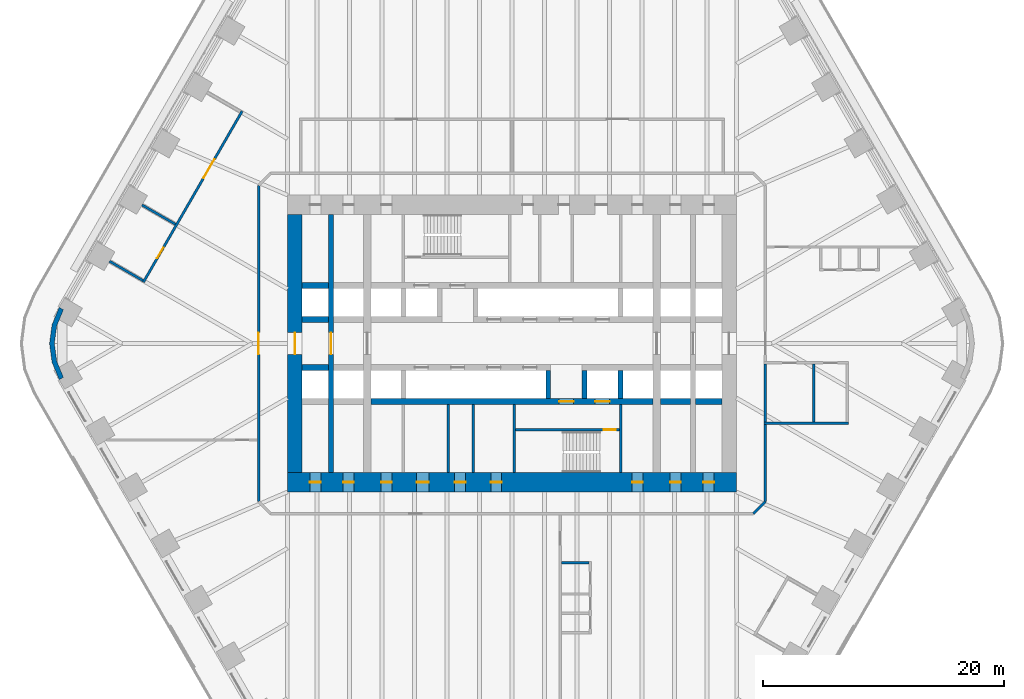
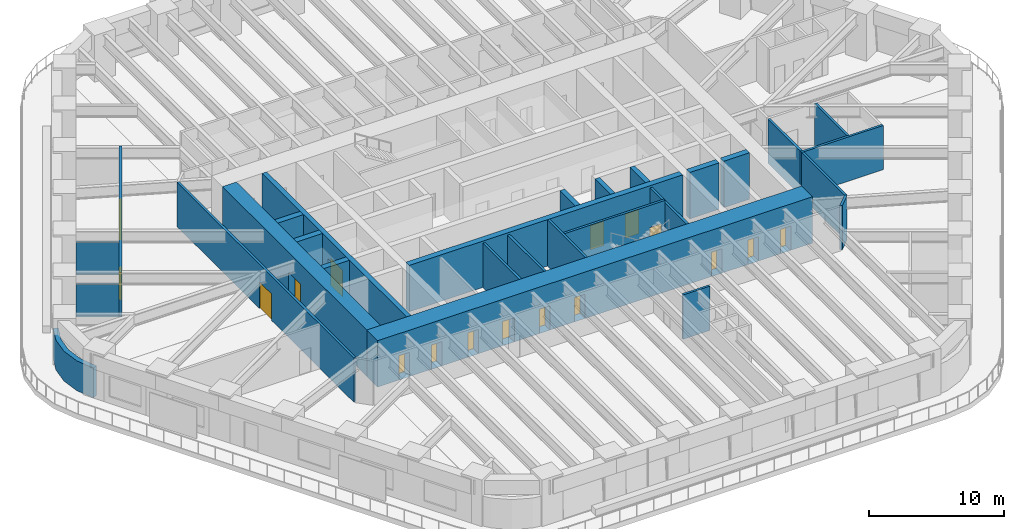
# One storey, part 17 of 24: 28 walls, 17 doors, 17 openings.
"""IFC4 building model written with IfcOpenShell, lengths in metres."""

from ifc_helpers import new_model, si_unit, direction, frame, frame_2d, origin, place, context, subcontext, project, spatial, polyline, rectangle, outline, extrude, material, layer, layer_set, type_object, element, fill, save


model = new_model("IFC4")

# Units and contexts
model_context = context("Model", 3, precision=1e-05, world=origin(), true_north=direction((0.0, 1.0)))
body_context = subcontext(model_context, "Body", "Model", "MODEL_VIEW")
ifc_project = project(units=[si_unit("LENGTHUNIT", "METRE"), si_unit("AREAUNIT", "SQUARE_METRE"), si_unit("VOLUMEUNIT", "CUBIC_METRE"), si_unit("PLANEANGLEUNIT", "RADIAN"), si_unit("MASSUNIT", "GRAM", prefix="KILO")], contexts=[model_context])

# Site, building, storey
site_placement = place(None, origin())
site = spatial("IfcSite", under=ifc_project, at=site_placement, CompositionType="ELEMENT")
building_placement = place(site_placement, origin())
building = spatial("IfcBuilding", under=site, at=building_placement, Name="Tarfa Lantern Tower", CompositionType="ELEMENT")
storey_placement = place(building_placement, frame((0.0, 0.0, 90.699951171875)))
storey = spatial("IfcBuildingStorey", under=building, at=storey_placement, Name="L20", CompositionType="ELEMENT", Elevation=90.699951171875)

# Walls
ifc_material_1 = material(Name="Limestone cladding on blockwork", Category="masonry")
ifc_layer_1 = layer(ifc_material_1, 0.39990234375)
ifc_layer_set_1 = layer_set([ifc_layer_1], Name="EW2 CURVED STONE CORNER 400")
wall_type_1 = type_object("IfcWallType", Name="EW2 CURVED STONE CORNER 400", PredefinedType="SOLIDWALL", material=ifc_layer_set_1)
wall_1_placement = place(storey_placement, origin())
element("IfcWall", 1, at=wall_1_placement, inside=storey, type_object=wall_type_1, Name="Stone corner NW-SW", PredefinedType="SOLIDWALL", context=body_context, shape_type="SweptSolid", body=[
    extrude(outline(polyline([(-37.52783203125, 3.0), (-38.127197265625, 1.552978515625), (-38.33154296875, 0.0), (-38.127197265625, -1.552978515625), (-37.52783203125, -3.0), (-37.181396484375, -2.800048828125), (-37.74072265625, -1.449462890625), (-37.931640625, 0.0), (-37.74072265625, 1.449462890625), (-37.181396484375, 2.800048828125), (-37.52783203125, 3.0)])), origin(), (0.0, 0.0, 1.0), 2.699951171875),
])
ifc_material_2 = material(Name="Concrete blockwork", Category="masonry")
ifc_layer_2 = layer(ifc_material_2, 0.199951171875)
ifc_layer_set_2 = layer_set([ifc_layer_2], Name="IW1 BLOCKWORK PARTITION 200 EI 120")
wall_type_2 = type_object("IfcWallType", Name="IW1 BLOCKWORK PARTITION 200 EI 120", PredefinedType="PARTITIONING", material=ifc_layer_set_2)
for number, where, z_axis, x_axis, name in (
    (2, (9.0, -5.050048828125, 0.0), (0.0, 0.0, 1.0), (0.0, -1.0, 0.0), "Core partition"),
    (3, (-3.199951171875, -5.050048828125, 0.0), (0.0, 0.0, 1.0), (0.0, -1.0, 0.0), "Core partition"),
    (4, (-5.300048828125, -5.050048828125, 0.0), (0.0, 0.0, 1.0), (0.0, -1.0, 0.0), "Core partition"),
):
    element("IfcWall", number, at=place(storey_placement, frame(where, z_axis=z_axis, x_axis=x_axis)), inside=storey, type_object=wall_type_2, Name=name, PredefinedType="PARTITIONING", context=body_context, shape_type="SweptSolid", body=[
        extrude(rectangle(XDim=5.64990234375, YDim=0.199951171875, at=frame_2d((2.824951171875, 0.0))), origin(), (0.0, 0.0, 1.0), 4.0),
    ])

# Wall, openings, doors
ifc_material_3 = material(Name="Gypsum board on steel studs", Category="steel")
ifc_layer_3 = layer(ifc_material_3, 0.2099609375)
ifc_layer_set_3 = layer_set([ifc_layer_3], Name="IW2 ACOUSTIC PARTITION 200")
wall_type_3 = type_object("IfcWallType", Name="IW2 ACOUSTIC PARTITION 200", PredefinedType="PARTITIONING", material=ifc_layer_set_3)
wall_2_placement = place(storey_placement, frame((-22.370361328125, 19.253173828125, 0.0), z_axis=(0.0, 0.0, 1.0), x_axis=(-0.500000949028, -0.866024855862, 0.0)))
wall_2 = element("IfcWall", 5, at=wall_2_placement, inside=storey, type_object=wall_type_3, Name="Partition", PredefinedType="PARTITIONING", context=body_context, shape_type="SweptSolid", body=[
    extrude(rectangle(XDim=16.36572265625, YDim=0.199951171875, at=frame_2d((8.182861328125, 0.0))), origin(), (0.0, 0.0, 1.0), 4.0),
])
opening_1_placement = place(wall_2_placement, frame((4.588623046875, 0.0, 0.0)))
opening_1 = element("IfcOpeningElement", 6, at=opening_1_placement, cuts=wall_2, Name="Opening D31", PredefinedType="OPENING", context=body_context, shape_type="SweptSolid", body=[
    extrude(rectangle(XDim=1.800048828125, YDim=2.39990234375, at=frame_2d((0.89990234375, 1.199951171875))), frame((0.0, 0.10986328125, 0.0), z_axis=(0.0, -1.0, 0.0), x_axis=(1.0, 0.0, 0.0)), (0.0, 0.0, 1.0), 0.219970703125),
])
opening_2_placement = place(wall_2_placement, frame((13.071533203125, 0.0, 0.0)))
opening_2 = element("IfcOpeningElement", 7, at=opening_2_placement, cuts=wall_2, Name="Opening D32", PredefinedType="OPENING", context=body_context, shape_type="SweptSolid", body=[
    extrude(rectangle(XDim=1.0, YDim=2.199951171875, at=frame_2d((0.5, 1.10009765625))), frame((0.0, 0.10986328125, 0.0), z_axis=(0.0, -1.0, 0.0), x_axis=(1.0, 0.0, 0.0)), (0.0, 0.0, 1.0), 0.219970703125),
])
ifc_material_4 = material(Name="Timber door", Category="wood")
door_type_1 = type_object("IfcDoorType", Name="DR1 ROOM DOOR 1000x2200", OperationType="SINGLE_SWING_LEFT", PredefinedType="DOOR", material=ifc_material_4)
door_1_placement = place(opening_2_placement, frame((1.0, 0.0, 0.0), z_axis=(0.0, 0.0, 1.0), x_axis=(-1.0, 0.0, 0.0)))
door_1 = element("IfcDoor", 8, at=door_1_placement, inside=storey, type_object=door_type_1, Name="Store door", OperationType="SINGLE_SWING_RIGHT", OverallHeight=2.199951171875, OverallWidth=1.0, PredefinedType="DOOR", context=body_context, shape_type="SweptSolid", body=[
    extrude(rectangle(XDim=1.0, YDim=2.199951171875, at=frame_2d((0.5, 1.10009765625))), frame((0.0, 0.02490234375, 0.0), z_axis=(0.0, -1.0, 0.0), x_axis=(1.0, 0.0, 0.0)), (0.0, 0.0, 1.0), 0.050048828125),
])
fill(opening_2, door_1)
door_type_2 = type_object("IfcDoorType", Name="DR2 ROOM DOOR 1800x2400", OperationType="DOUBLE_DOOR_SINGLE_SWING", PredefinedType="DOOR", material=ifc_material_4)
door_2_placement = place(opening_1_placement, frame((1.800048828125, 0.0, 0.0), z_axis=(0.0, 0.0, 1.0), x_axis=(-1.0, 0.0, 0.0)))
door_2 = element("IfcDoor", 9, at=door_2_placement, inside=storey, type_object=door_type_2, Name="Plan chest room door", OperationType="DOUBLE_DOOR_SINGLE_SWING", OverallHeight=2.39990234375, OverallWidth=1.800048828125, PredefinedType="DOOR", context=body_context, shape_type="SweptSolid", body=[
    extrude(rectangle(XDim=1.800048828125, YDim=2.39990234375, at=frame_2d((0.89990234375, 1.199951171875))), frame((0.0, 0.02490234375, 0.0), z_axis=(0.0, -1.0, 0.0), x_axis=(1.0, 0.0, 0.0)), (0.0, 0.0, 1.0), 0.050048828125),
])
fill(opening_1, door_2)

# Walls
wall_3_placement = place(storey_placement, frame((-27.895751953125, 9.88330078125, 0.0), z_axis=(0.0, 0.0, 1.0), x_axis=(-0.866008981251, 0.500028443584, 0.0)))
element("IfcWall", 10, at=wall_3_placement, inside=storey, type_object=wall_type_3, Name="Partition", PredefinedType="PARTITIONING", context=body_context, shape_type="SweptSolid", body=[
    extrude(rectangle(XDim=3.199951171875, YDim=0.199951171875, at=frame_2d((1.60009765625, 0.0))), origin(), (0.0, 0.0, 1.0), 2.944091796875),
])
wall_4_placement = place(storey_placement, frame((-30.58984375, 5.216552734375, 0.0), z_axis=(0.0, 0.0, 1.0), x_axis=(-0.866028054938, 0.499995408039, 0.0)))
element("IfcWall", 11, at=wall_4_placement, inside=storey, type_object=wall_type_3, Name="Partition", PredefinedType="PARTITIONING", context=body_context, shape_type="SweptSolid", body=[
    extrude(rectangle(XDim=3.2001953125, YDim=0.199951171875, at=frame_2d((1.60009765625, 0.0))), origin(), (0.0, 0.0, 1.0), 2.944091796875),
])
wall_5_placement = place(storey_placement, frame((20.89990234375, -6.60009765625, 0.0), z_axis=(0.0, 0.0, 1.0), x_axis=(1.0, 0.0, 0.0)))
element("IfcWall", 12, at=wall_5_placement, inside=storey, type_object=wall_type_3, Name="Partition", PredefinedType="PARTITIONING", context=body_context, shape_type="SweptSolid", body=[
    extrude(rectangle(XDim=7.0, YDim=0.199951171875, at=frame_2d((3.5, 0.0))), origin(), (0.0, 0.0, 1.0), 4.0),
])
for number, where, z_axis, x_axis, name in (
    (13, (21.0, -1.699951171875, 0.0), (0.0, 0.0, 1.0), (0.0, -1.0, 0.0), "Partition"),
    (14, (25.0, -1.699951171875, 0.0), (0.0, 0.0, 1.0), (0.0, -1.0, 0.0), "Partition"),
):
    element("IfcWall", number, at=place(storey_placement, frame(where, z_axis=z_axis, x_axis=x_axis)), inside=storey, type_object=wall_type_3, Name=name, PredefinedType="PARTITIONING", context=body_context, shape_type="SweptSolid", body=[
        extrude(rectangle(XDim=4.800048828125, YDim=0.199951171875, at=frame_2d((2.39990234375, 0.0))), origin(), (0.0, 0.0, 1.0), 4.0),
    ])
wall_6_placement = place(storey_placement, frame((21.0, -6.700927734375, 0.0), z_axis=(0.0, 0.0, 1.0), x_axis=(0.0, -1.0, 0.0)))
element("IfcWall", 15, at=wall_6_placement, inside=storey, type_object=wall_type_3, Name="Partition", PredefinedType="PARTITIONING", context=body_context, shape_type="SweptSolid", body=[
    extrude(rectangle(XDim=6.399169921875, YDim=0.199951171875, at=frame_2d((3.19970703125, 0.0))), origin(), (0.0, 0.0, 1.0), 4.0),
])
wall_7_placement = place(storey_placement, frame((21.0, -13.10009765625, 0.0), z_axis=(0.0, 0.0, 1.0), x_axis=(-0.707106781187, -0.707106781187, 0.0)))
element("IfcWall", 16, at=wall_7_placement, inside=storey, type_object=wall_type_3, Name="Partition", PredefinedType="PARTITIONING", context=body_context, shape_type="SweptSolid", body=[
    extrude(rectangle(XDim=1.414306640625, YDim=0.199951171875, at=frame_2d((0.70703125, 0.0))), origin(), (0.0, 0.0, 1.0), 4.0),
])

# Wall, opening, door
wall_8_placement = place(storey_placement, frame((-21.0, -13.10009765625, 0.0), z_axis=(0.0, 0.0, 1.0), x_axis=(0.0, 1.0, 0.0)))
wall_8 = element("IfcWall", 17, at=wall_8_placement, inside=storey, type_object=wall_type_3, Name="Partition", PredefinedType="PARTITIONING", context=body_context, shape_type="SweptSolid", body=[
    extrude(rectangle(XDim=26.2001953125, YDim=0.199951171875, at=frame_2d((13.10009765625, 0.0))), origin(), (0.0, 0.0, 1.0), 4.0),
])
opening_3_placement = place(wall_8_placement, frame((12.199951171875, 0.0, 0.0)))
opening_3 = element("IfcOpeningElement", 18, at=opening_3_placement, cuts=wall_8, Name="Opening D44", PredefinedType="OPENING", context=body_context, shape_type="SweptSolid", body=[
    extrude(rectangle(XDim=1.800048828125, YDim=2.39990234375, at=frame_2d((0.89990234375, 1.199951171875))), frame((0.0, 0.10986328125, 0.0), z_axis=(0.0, -1.0, 0.0), x_axis=(1.0, 0.0, 0.0)), (0.0, 0.0, 1.0), 0.219970703125),
])
door_3_placement = place(opening_3_placement, origin())
door_3 = element("IfcDoor", 19, at=door_3_placement, inside=storey, type_object=door_type_2, Name="Corridor door", OperationType="DOUBLE_DOOR_SINGLE_SWING", OverallHeight=2.39990234375, OverallWidth=1.800048828125, PredefinedType="DOOR", context=body_context, shape_type="SweptSolid", body=[
    extrude(rectangle(XDim=1.800048828125, YDim=2.39990234375, at=frame_2d((0.89990234375, 1.199951171875))), frame((0.0, 0.02490234375, 0.0), z_axis=(0.0, -1.0, 0.0), x_axis=(1.0, 0.0, 0.0)), (0.0, 0.0, 1.0), 0.050048828125),
])
fill(opening_3, door_3)

# Wall
wall_9_placement = place(storey_placement, frame((4.10009765625, -18.159912109375, 0.0), z_axis=(0.0, 0.0, 1.0), x_axis=(1.0, 0.0, 0.0)))
element("IfcWall", 20, at=wall_9_placement, inside=storey, type_object=wall_type_3, Name="Partition", PredefinedType="PARTITIONING", context=body_context, shape_type="SweptSolid", body=[
    extrude(rectangle(XDim=2.2998046875, YDim=0.199951171875, at=frame_2d((1.14990234375, 0.0))), origin(), (0.0, 0.0, 1.0), 4.0),
])

# Wall, opening, door
ifc_material_5 = material(Name="Concrete C80/95", Category="concrete")
ifc_layer_4 = layer(ifc_material_5, 1.199951171875)
ifc_layer_set_4 = layer_set([ifc_layer_4], Name="SW1 CORE WALL 1200")
wall_type_4 = type_object("IfcWallType", Name="SW1 CORE WALL 1200", PredefinedType="SHEAR", material=ifc_layer_set_4)
wall_10_placement = place(storey_placement, frame((-18.0, 10.699951171875, 0.0), z_axis=(0.0, 0.0, 1.0), x_axis=(0.0, -1.0, 0.0)))
wall_10 = element("IfcWall", 21, at=wall_10_placement, inside=storey, type_object=wall_type_4, Name="Core wall W", PredefinedType="SHEAR", context=body_context, shape_type="SweptSolid", body=[
    extrude(rectangle(XDim=21.39990234375, YDim=1.199951171875, at=frame_2d((10.699951171875, 0.0))), origin(), (0.0, 0.0, 1.0), 4.199951171875),
])
opening_4_placement = place(wall_10_placement, frame((9.800048828125, 0.0, 0.0)))
opening_4 = element("IfcOpeningElement", 22, at=opening_4_placement, cuts=wall_10, Name="Opening D16", PredefinedType="OPENING", context=body_context, shape_type="SweptSolid", body=[
    extrude(rectangle(XDim=1.800048828125, YDim=2.39990234375, at=frame_2d((0.89990234375, 1.199951171875))), frame((0.0, 0.60986328125, 0.0), z_axis=(0.0, -1.0, 0.0), x_axis=(1.0, 0.0, 0.0)), (0.0, 0.0, 1.0), 1.219970703125),
])
ifc_material_6 = material(Name="Steel fire door", Category="steel")
door_type_3 = type_object("IfcDoorType", Name="DL1 LOBBY DOOR 1800x2400", OperationType="DOUBLE_DOOR_SINGLE_SWING", PredefinedType="DOOR", material=ifc_material_6)
door_4_placement = place(opening_4_placement, frame((1.800048828125, 0.0, 0.0), z_axis=(0.0, 0.0, 1.0), x_axis=(-1.0, 0.0, 0.0)))
door_4 = element("IfcDoor", 23, at=door_4_placement, inside=storey, type_object=door_type_3, Name="Lift lobby door", OperationType="DOUBLE_DOOR_SINGLE_SWING", OverallHeight=2.39990234375, OverallWidth=1.800048828125, PredefinedType="DOOR", context=body_context, shape_type="SweptSolid", body=[
    extrude(rectangle(XDim=1.800048828125, YDim=2.39990234375, at=frame_2d((0.89990234375, 1.199951171875))), frame((0.0, 0.02490234375, 0.0), z_axis=(0.0, -1.0, 0.0), x_axis=(1.0, 0.0, 0.0)), (0.0, 0.0, 1.0), 0.050048828125),
])
fill(opening_4, door_4)

# Wall
ifc_layer_5 = layer(ifc_material_5, 0.199951171875)
ifc_layer_set_5 = layer_set([ifc_layer_5], Name="SW12 CORE WALL 200")
wall_type_5 = type_object("IfcWallType", Name="SW12 CORE WALL 200", PredefinedType="SHEAR", material=ifc_layer_set_5)
wall_11_placement = place(storey_placement, frame((0.199951171875, -5.050048828125, 0.0), z_axis=(0.0, 0.0, 1.0), x_axis=(0.0, -1.0, 0.0)))
element("IfcWall", 24, at=wall_11_placement, inside=storey, type_object=wall_type_5, Name="Core wall stair shaft S", PredefinedType="SHEAR", context=body_context, shape_type="SweptSolid", body=[
    extrude(rectangle(XDim=5.64990234375, YDim=0.199951171875, at=frame_2d((2.824951171875, 0.0))), origin(), (0.0, 0.0, 1.0), 4.199951171875),
])

# Wall, opening, door
wall_12_placement = place(storey_placement, frame((8.89990234375, -7.14990234375, 0.0), z_axis=(0.0, 0.0, 1.0), x_axis=(-1.0, 0.0, 0.0)))
wall_12 = element("IfcWall", 25, at=wall_12_placement, inside=storey, type_object=wall_type_5, Name="Core wall stair partition S", PredefinedType="SHEAR", context=body_context, shape_type="SweptSolid", body=[
    extrude(rectangle(XDim=8.599853515625, YDim=0.199951171875, at=frame_2d((4.2998046875, 0.0))), origin(), (0.0, 0.0, 1.0), 4.199951171875),
])
opening_5_placement = place(wall_12_placement, frame((0.300048828125, 0.0, 0.0)))
opening_5 = element("IfcOpeningElement", 26, at=opening_5_placement, cuts=wall_12, Name="Opening D24", PredefinedType="OPENING", context=body_context, shape_type="SweptSolid", body=[
    extrude(rectangle(XDim=1.0, YDim=2.199951171875, at=frame_2d((0.5, 1.10009765625))), frame((0.0, 0.10986328125, 0.0), z_axis=(0.0, -1.0, 0.0), x_axis=(1.0, 0.0, 0.0)), (0.0, 0.0, 1.0), 0.219970703125),
])
door_type_4 = type_object("IfcDoorType", Name="DF2 STAIR DOOR 1000x2200", OperationType="SINGLE_SWING_LEFT", PredefinedType="DOOR", material=ifc_material_6)
door_5_placement = place(opening_5_placement, origin())
door_5 = element("IfcDoor", 27, at=door_5_placement, inside=storey, type_object=door_type_4, Name="Stair door", OperationType="SINGLE_SWING_RIGHT", OverallHeight=2.199951171875, OverallWidth=1.0, PredefinedType="DOOR", context=body_context, shape_type="SweptSolid", body=[
    extrude(rectangle(XDim=1.0, YDim=2.199951171875, at=frame_2d((0.5, 1.10009765625))), frame((0.0, 0.02490234375, 0.0), z_axis=(0.0, -1.0, 0.0), x_axis=(1.0, 0.0, 0.0)), (0.0, 0.0, 1.0), 0.050048828125),
])
fill(opening_5, door_5)

# Walls
ifc_layer_6 = layer(ifc_material_5, 0.5)
ifc_layer_set_6 = layer_set([ifc_layer_6], Name="SW5 CORE WALL 500")
wall_type_6 = type_object("IfcWallType", Name="SW5 CORE WALL 500", PredefinedType="SHEAR", material=ifc_layer_set_6)
for number, where, z_axis, x_axis, name in (
    (28, (-17.39990234375, 2.0, 0.0), (0.0, 0.0, 1.0), (1.0, 0.0, 0.0), "Core wall lobby west N"),
    (29, (-17.39990234375, 4.800048828125, 0.0), (0.0, 0.0, 1.0), (1.0, 0.0, 0.0), "Core wall rear N"),
    (30, (-15.199951171875, -2.0, 0.0), (0.0, 0.0, 1.0), (-1.0, 0.0, 0.0), "Core wall lobby east S"),
    (31, (17.39990234375, -4.800048828125, 0.0), (0.0, 0.0, 1.0), (-1.0, 0.0, 0.0), "Core wall rear S"),
):
    element("IfcWall", number, at=place(storey_placement, frame(where, z_axis=z_axis, x_axis=x_axis)), inside=storey, type_object=wall_type_6, Name=name, PredefinedType="SHEAR", context=body_context, shape_type="SweptSolid", body=[
        extrude(rectangle(XDim=2.199951171875, YDim=0.5, at=frame_2d((1.10009765625, 0.0))), origin(), (0.0, 0.0, 1.0), 4.199951171875),
    ])
wall_13_placement = place(storey_placement, frame((14.800048828125, -4.800048828125, 0.0), z_axis=(0.0, 0.0, 1.0), x_axis=(-1.0, 0.0, 0.0)))
element("IfcWall", 32, at=wall_13_placement, inside=storey, type_object=wall_type_6, Name="Core wall rear S", PredefinedType="SHEAR", context=body_context, shape_type="SweptSolid", body=[
    extrude(rectangle(XDim=2.5, YDim=0.5, at=frame_2d((1.25, 0.0))), origin(), (0.0, 0.0, 1.0), 4.199951171875),
])

# Wall, openings, doors
wall_14_placement = place(storey_placement, frame((11.699951171875, -4.800048828125, 0.0), z_axis=(0.0, 0.0, 1.0), x_axis=(-1.0, 0.0, 0.0)))
wall_14 = element("IfcWall", 33, at=wall_14_placement, inside=storey, type_object=wall_type_6, Name="Core wall rear S", PredefinedType="SHEAR", context=body_context, shape_type="SweptSolid", body=[
    extrude(rectangle(XDim=23.39990234375, YDim=0.5, at=frame_2d((11.699951171875, 0.0))), origin(), (0.0, 0.0, 1.0), 4.199951171875),
])
opening_6_placement = place(wall_14_placement, frame((6.60009765625, 0.0, 0.0)))
opening_6 = element("IfcOpeningElement", 34, at=opening_6_placement, cuts=wall_14, Name="Opening D14", PredefinedType="OPENING", context=body_context, shape_type="SweptSolid", body=[
    extrude(rectangle(XDim=1.199951171875, YDim=2.199951171875, at=frame_2d((0.60009765625, 1.10009765625))), frame((0.0, 0.260009765625, 0.0), z_axis=(0.0, -1.0, 0.0), x_axis=(1.0, 0.0, 0.0)), (0.0, 0.0, 1.0), 0.52001953125),
])
opening_7_placement = place(wall_14_placement, frame((3.60009765625, 0.0, 0.0)))
opening_7 = element("IfcOpeningElement", 35, at=opening_7_placement, cuts=wall_14, Name="Opening LD02", PredefinedType="OPENING", context=body_context, shape_type="SweptSolid", body=[
    extrude(rectangle(XDim=1.199951171875, YDim=2.199951171875, at=frame_2d((0.60009765625, 1.10009765625))), frame((0.0, 0.260009765625, 0.0), z_axis=(0.0, -1.0, 0.0), x_axis=(1.0, 0.0, 0.0)), (0.0, 0.0, 1.0), 0.52001953125),
])
door_type_5 = type_object("IfcDoorType", Name="DF1 FIREFIGHTING LOBBY DOOR 1200x2200", OperationType="SINGLE_SWING_LEFT", PredefinedType="DOOR", material=ifc_material_6)
door_6_placement = place(opening_6_placement, origin())
door_6 = element("IfcDoor", 36, at=door_6_placement, inside=storey, type_object=door_type_5, Name="Firefighting lobby door", OperationType="SINGLE_SWING_LEFT", OverallHeight=2.199951171875, OverallWidth=1.199951171875, PredefinedType="DOOR", context=body_context, shape_type="SweptSolid", body=[
    extrude(rectangle(XDim=1.199951171875, YDim=2.199951171875, at=frame_2d((0.60009765625, 1.10009765625))), frame((0.0, 0.02490234375, 0.0), z_axis=(0.0, -1.0, 0.0), x_axis=(1.0, 0.0, 0.0)), (0.0, 0.0, 1.0), 0.050048828125),
])
fill(opening_6, door_6)
ifc_material_7 = material(Name="Stainless steel lift door", Category="steel")
door_type_6 = type_object("IfcDoorType", Name="LD1 LIFT LANDING DOOR 1200x2200", OperationType="SLIDING_TO_LEFT", PredefinedType="DOOR", material=ifc_material_7)
door_7_placement = place(opening_7_placement, origin())
door_7 = element("IfcDoor", 37, at=door_7_placement, inside=storey, type_object=door_type_6, Name="Landing door FL2", OperationType="SLIDING_TO_LEFT", OverallHeight=2.199951171875, OverallWidth=1.199951171875, PredefinedType="DOOR", context=body_context, shape_type="SweptSolid", body=[
    extrude(rectangle(XDim=1.199951171875, YDim=2.199951171875, at=frame_2d((0.60009765625, 1.10009765625))), frame((0.0, 0.02490234375, 0.0), z_axis=(0.0, -1.0, 0.0), x_axis=(1.0, 0.0, 0.0)), (0.0, 0.0, 1.0), 0.050048828125),
])
fill(opening_7, door_7)

# Wall, opening, door
ifc_layer_7 = layer(ifc_material_5, 0.39990234375)
ifc_layer_set_7 = layer_set([ifc_layer_7], Name="SW6 CORE WALL 400")
wall_type_7 = type_object("IfcWallType", Name="SW6 CORE WALL 400", PredefinedType="SHEAR", material=ifc_layer_set_7)
wall_15_placement = place(storey_placement, frame((-15.0, -10.699951171875, 0.0), z_axis=(0.0, 0.0, 1.0), x_axis=(0.0, 1.0, 0.0)))
wall_15 = element("IfcWall", 38, at=wall_15_placement, inside=storey, type_object=wall_type_7, Name="Core wall cross 15 m west", PredefinedType="SHEAR", context=body_context, shape_type="SweptSolid", body=[
    extrude(rectangle(XDim=21.39990234375, YDim=0.39990234375, at=frame_2d((10.699951171875, 0.0))), origin(), (0.0, 0.0, 1.0), 4.199951171875),
])
opening_8_placement = place(wall_15_placement, frame((9.800048828125, 0.0, 0.0)))
opening_8 = element("IfcOpeningElement", 39, at=opening_8_placement, cuts=wall_15, Name="Opening D28", PredefinedType="OPENING", context=body_context, shape_type="SweptSolid", body=[
    extrude(rectangle(XDim=1.800048828125, YDim=2.39990234375, at=frame_2d((0.89990234375, 1.199951171875))), frame((0.0, 0.2099609375, 0.0), z_axis=(0.0, -1.0, 0.0), x_axis=(1.0, 0.0, 0.0)), (0.0, 0.0, 1.0), 0.419921875),
])
door_8_placement = place(opening_8_placement, origin())
door_8 = element("IfcDoor", 40, at=door_8_placement, inside=storey, type_object=door_type_3, Name="Lift lobby door", OperationType="DOUBLE_DOOR_SINGLE_SWING", OverallHeight=2.39990234375, OverallWidth=1.800048828125, PredefinedType="DOOR", context=body_context, shape_type="SweptSolid", body=[
    extrude(rectangle(XDim=1.800048828125, YDim=2.39990234375, at=frame_2d((0.89990234375, 1.199951171875))), frame((0.0, 0.02490234375, 0.0), z_axis=(0.0, -1.0, 0.0), x_axis=(1.0, 0.0, 0.0)), (0.0, 0.0, 1.0), 0.050048828125),
])
fill(opening_8, door_8)

# Walls
for number, where, z_axis, x_axis, name in (
    (41, (9.0, -2.25, 0.0), (0.0, 0.0, 1.0), (0.0, -1.0, 0.0), "Core wall divider S"),
    (42, (6.0, -2.25, 0.0), (0.0, 0.0, 1.0), (0.0, -1.0, 0.0), "Core wall divider S"),
    (43, (3.0, -2.25, 0.0), (0.0, 0.0, 1.0), (0.0, -1.0, 0.0), "Core wall divider S"),
):
    element("IfcWall", number, at=place(storey_placement, frame(where, z_axis=z_axis, x_axis=x_axis)), inside=storey, type_object=wall_type_7, Name=name, PredefinedType="SHEAR", context=body_context, shape_type="SweptSolid", body=[
        extrude(rectangle(XDim=2.300048828125, YDim=0.39990234375, at=frame_2d((1.14990234375, 0.0))), origin(), (0.0, 0.0, 1.0), 4.199951171875),
    ])

# Wall, openings, doors
ifc_layer_8 = layer(ifc_material_5, 1.60009765625)
ifc_layer_set_8 = layer_set([ifc_layer_8], Name="SW7 CORE WALL 1600")
wall_type_8 = type_object("IfcWallType", Name="SW7 CORE WALL 1600", PredefinedType="SHEAR", material=ifc_layer_set_8)
wall_16_placement = place(storey_placement, frame((18.60009765625, -11.5, 0.0), z_axis=(0.0, 0.0, 1.0), x_axis=(-1.0, 0.0, 0.0)))
wall_16 = element("IfcWall", 44, at=wall_16_placement, inside=storey, type_object=wall_type_8, Name="Core wall S", PredefinedType="SHEAR", context=body_context, shape_type="SweptSolid", body=[
    extrude(rectangle(XDim=37.2001953125, YDim=1.60009765625, at=frame_2d((18.60009765625, 0.0))), origin(), (0.0, 0.0, 1.0), 4.199951171875),
])
opening_9_placement = place(wall_16_placement, frame((19.449951171875, 0.0, 0.0)))
opening_9 = element("IfcOpeningElement", 45, at=opening_9_placement, cuts=wall_16, Name="Opening D18", PredefinedType="OPENING", context=body_context, shape_type="SweptSolid", body=[
    extrude(rectangle(XDim=0.89990234375, YDim=2.199951171875, at=frame_2d((0.449951171875, 1.10009765625))), frame((0.0, 0.81005859375, 0.0), z_axis=(0.0, -1.0, 0.0), x_axis=(1.0, 0.0, 0.0)), (0.0, 0.0, 1.0), 1.6201171875),
])
opening_10_placement = place(wall_16_placement, frame((22.449951171875, 0.0, 0.0)))
opening_10 = element("IfcOpeningElement", 46, at=opening_10_placement, cuts=wall_16, Name="Opening D20", PredefinedType="OPENING", context=body_context, shape_type="SweptSolid", body=[
    extrude(rectangle(XDim=0.89990234375, YDim=2.199951171875, at=frame_2d((0.449951171875, 1.10009765625))), frame((0.0, 0.81005859375, 0.0), z_axis=(0.0, -1.0, 0.0), x_axis=(1.0, 0.0, 0.0)), (0.0, 0.0, 1.0), 1.6201171875),
])
opening_11_placement = place(wall_16_placement, frame((25.5, 0.0, 0.0)))
opening_11 = element("IfcOpeningElement", 47, at=opening_11_placement, cuts=wall_16, Name="Opening D22", PredefinedType="OPENING", context=body_context, shape_type="SweptSolid", body=[
    extrude(rectangle(XDim=1.0, YDim=2.199951171875, at=frame_2d((0.5, 1.10009765625))), frame((0.0, 0.81005859375, 0.0), z_axis=(0.0, -1.0, 0.0), x_axis=(1.0, 0.0, 0.0)), (0.0, 0.0, 1.0), 1.6201171875),
])
opening_12_placement = place(wall_16_placement, frame((1.85009765625, 0.0, 0.0)))
opening_12 = element("IfcOpeningElement", 48, at=opening_12_placement, cuts=wall_16, Name="Opening D12", PredefinedType="OPENING", context=body_context, shape_type="SweptSolid", body=[
    extrude(rectangle(XDim=0.89990234375, YDim=2.199951171875, at=frame_2d((0.449951171875, 1.10009765625))), frame((0.0, 0.81005859375, 0.0), z_axis=(0.0, -1.0, 0.0), x_axis=(1.0, 0.0, 0.0)), (0.0, 0.0, 1.0), 1.6201171875),
])
opening_13_placement = place(wall_16_placement, frame((4.60009765625, 0.0, 0.0)))
opening_13 = element("IfcOpeningElement", 49, at=opening_13_placement, cuts=wall_16, Name="Opening D08", PredefinedType="OPENING", context=body_context, shape_type="SweptSolid", body=[
    extrude(rectangle(XDim=0.89990234375, YDim=2.199951171875, at=frame_2d((0.449951171875, 1.10009765625))), frame((0.0, 0.81005859375, 0.0), z_axis=(0.0, -1.0, 0.0), x_axis=(1.0, 0.0, 0.0)), (0.0, 0.0, 1.0), 1.6201171875),
])
opening_14_placement = place(wall_16_placement, frame((7.75, 0.0, 0.0)))
opening_14 = element("IfcOpeningElement", 50, at=opening_14_placement, cuts=wall_16, Name="Opening D10", PredefinedType="OPENING", context=body_context, shape_type="SweptSolid", body=[
    extrude(rectangle(XDim=0.89990234375, YDim=2.199951171875, at=frame_2d((0.449951171875, 1.10009765625))), frame((0.0, 0.81005859375, 0.0), z_axis=(0.0, -1.0, 0.0), x_axis=(1.0, 0.0, 0.0)), (0.0, 0.0, 1.0), 1.6201171875),
])
opening_15_placement = place(wall_16_placement, frame((28.550048828125, 0.0, 0.0)))
opening_15 = element("IfcOpeningElement", 51, at=opening_15_placement, cuts=wall_16, Name="Opening D06", PredefinedType="OPENING", context=body_context, shape_type="SweptSolid", body=[
    extrude(rectangle(XDim=0.89990234375, YDim=2.199951171875, at=frame_2d((0.449951171875, 1.10009765625))), frame((0.0, 0.81005859375, 0.0), z_axis=(0.0, -1.0, 0.0), x_axis=(1.0, 0.0, 0.0)), (0.0, 0.0, 1.0), 1.6201171875),
])
opening_16_placement = place(wall_16_placement, frame((31.699951171875, 0.0, 0.0)))
opening_16 = element("IfcOpeningElement", 52, at=opening_16_placement, cuts=wall_16, Name="Opening D02", PredefinedType="OPENING", context=body_context, shape_type="SweptSolid", body=[
    extrude(rectangle(XDim=0.89990234375, YDim=2.199951171875, at=frame_2d((0.449951171875, 1.10009765625))), frame((0.0, 0.81005859375, 0.0), z_axis=(0.0, -1.0, 0.0), x_axis=(1.0, 0.0, 0.0)), (0.0, 0.0, 1.0), 1.6201171875),
])
opening_17_placement = place(wall_16_placement, frame((34.449951171875, 0.0, 0.0)))
opening_17 = element("IfcOpeningElement", 53, at=opening_17_placement, cuts=wall_16, Name="Opening D04", PredefinedType="OPENING", context=body_context, shape_type="SweptSolid", body=[
    extrude(rectangle(XDim=0.89990234375, YDim=2.199951171875, at=frame_2d((0.449951171875, 1.10009765625))), frame((0.0, 0.81005859375, 0.0), z_axis=(0.0, -1.0, 0.0), x_axis=(1.0, 0.0, 0.0)), (0.0, 0.0, 1.0), 1.6201171875),
])
door_type_7 = type_object("IfcDoorType", Name="DF3 CORE ROOM DOOR 900x2200", OperationType="SINGLE_SWING_LEFT", PredefinedType="DOOR", material=ifc_material_6)
door_9_placement = place(opening_9_placement, frame((0.89990234375, 0.0, 0.0), z_axis=(0.0, 0.0, 1.0), x_axis=(-1.0, 0.0, 0.0)))
door_9 = element("IfcDoor", 54, at=door_9_placement, inside=storey, type_object=door_type_7, Name="Core door", OperationType="SINGLE_SWING_LEFT", OverallHeight=2.199951171875, OverallWidth=0.89990234375, PredefinedType="DOOR", context=body_context, shape_type="SweptSolid", body=[
    extrude(rectangle(XDim=0.89990234375, YDim=2.199951171875, at=frame_2d((0.449951171875, 1.10009765625))), frame((0.0, 0.02490234375, 0.0), z_axis=(0.0, -1.0, 0.0), x_axis=(1.0, 0.0, 0.0)), (0.0, 0.0, 1.0), 0.050048828125),
])
fill(opening_9, door_9)
door_10_placement = place(opening_10_placement, frame((0.89990234375, 0.0, 0.0), z_axis=(0.0, 0.0, 1.0), x_axis=(-1.0, 0.0, 0.0)))
door_10 = element("IfcDoor", 55, at=door_10_placement, inside=storey, type_object=door_type_7, Name="Core door", OperationType="SINGLE_SWING_RIGHT", OverallHeight=2.199951171875, OverallWidth=0.89990234375, PredefinedType="DOOR", context=body_context, shape_type="SweptSolid", body=[
    extrude(rectangle(XDim=0.89990234375, YDim=2.199951171875, at=frame_2d((0.449951171875, 1.10009765625))), frame((0.0, 0.02490234375, 0.0), z_axis=(0.0, -1.0, 0.0), x_axis=(1.0, 0.0, 0.0)), (0.0, 0.0, 1.0), 0.050048828125),
])
fill(opening_10, door_10)
door_type_8 = type_object("IfcDoorType", Name="DF4 CORE ROOM DOOR 1000x2200", OperationType="SINGLE_SWING_LEFT", PredefinedType="DOOR", material=ifc_material_6)
door_11_placement = place(opening_11_placement, frame((1.0, 0.0, 0.0), z_axis=(0.0, 0.0, 1.0), x_axis=(-1.0, 0.0, 0.0)))
door_11 = element("IfcDoor", 56, at=door_11_placement, inside=storey, type_object=door_type_8, Name="Core door", OperationType="SINGLE_SWING_RIGHT", OverallHeight=2.199951171875, OverallWidth=1.0, PredefinedType="DOOR", context=body_context, shape_type="SweptSolid", body=[
    extrude(rectangle(XDim=1.0, YDim=2.199951171875, at=frame_2d((0.5, 1.10009765625))), frame((0.0, 0.02490234375, 0.0), z_axis=(0.0, -1.0, 0.0), x_axis=(1.0, 0.0, 0.0)), (0.0, 0.0, 1.0), 0.050048828125),
])
fill(opening_11, door_11)
door_type_9 = type_object("IfcDoorType", Name="DF5 RISER DOOR 900x2200", OperationType="SINGLE_SWING_LEFT", PredefinedType="DOOR", material=ifc_material_6)
door_12_placement = place(opening_12_placement, frame((0.89990234375, 0.0, 0.0), z_axis=(0.0, 0.0, 1.0), x_axis=(-1.0, 0.0, 0.0)))
door_12 = element("IfcDoor", 57, at=door_12_placement, inside=storey, type_object=door_type_9, Name="Riser door", OperationType="SINGLE_SWING_LEFT", OverallHeight=2.199951171875, OverallWidth=0.89990234375, PredefinedType="DOOR", context=body_context, shape_type="SweptSolid", body=[
    extrude(rectangle(XDim=0.89990234375, YDim=2.199951171875, at=frame_2d((0.449951171875, 1.10009765625))), frame((0.0, 0.02490234375, 0.0), z_axis=(0.0, -1.0, 0.0), x_axis=(1.0, 0.0, 0.0)), (0.0, 0.0, 1.0), 0.050048828125),
])
fill(opening_12, door_12)
door_13_placement = place(opening_13_placement, frame((0.89990234375, 0.0, 0.0), z_axis=(0.0, 0.0, 1.0), x_axis=(-1.0, 0.0, 0.0)))
door_13 = element("IfcDoor", 58, at=door_13_placement, inside=storey, type_object=door_type_9, Name="Riser door", OperationType="SINGLE_SWING_LEFT", OverallHeight=2.199951171875, OverallWidth=0.89990234375, PredefinedType="DOOR", context=body_context, shape_type="SweptSolid", body=[
    extrude(rectangle(XDim=0.89990234375, YDim=2.199951171875, at=frame_2d((0.449951171875, 1.10009765625))), frame((0.0, 0.02490234375, 0.0), z_axis=(0.0, -1.0, 0.0), x_axis=(1.0, 0.0, 0.0)), (0.0, 0.0, 1.0), 0.050048828125),
])
fill(opening_13, door_13)
door_14_placement = place(opening_14_placement, frame((0.89990234375, 0.0, 0.0), z_axis=(0.0, 0.0, 1.0), x_axis=(-1.0, 0.0, 0.0)))
door_14 = element("IfcDoor", 59, at=door_14_placement, inside=storey, type_object=door_type_9, Name="Riser door", OperationType="SINGLE_SWING_LEFT", OverallHeight=2.199951171875, OverallWidth=0.89990234375, PredefinedType="DOOR", context=body_context, shape_type="SweptSolid", body=[
    extrude(rectangle(XDim=0.89990234375, YDim=2.199951171875, at=frame_2d((0.449951171875, 1.10009765625))), frame((0.0, 0.02490234375, 0.0), z_axis=(0.0, -1.0, 0.0), x_axis=(1.0, 0.0, 0.0)), (0.0, 0.0, 1.0), 0.050048828125),
])
fill(opening_14, door_14)
door_15_placement = place(opening_15_placement, frame((0.89990234375, 0.0, 0.0), z_axis=(0.0, 0.0, 1.0), x_axis=(-1.0, 0.0, 0.0)))
door_15 = element("IfcDoor", 60, at=door_15_placement, inside=storey, type_object=door_type_9, Name="Riser door", OperationType="SINGLE_SWING_RIGHT", OverallHeight=2.199951171875, OverallWidth=0.89990234375, PredefinedType="DOOR", context=body_context, shape_type="SweptSolid", body=[
    extrude(rectangle(XDim=0.89990234375, YDim=2.199951171875, at=frame_2d((0.449951171875, 1.10009765625))), frame((0.0, 0.02490234375, 0.0), z_axis=(0.0, -1.0, 0.0), x_axis=(1.0, 0.0, 0.0)), (0.0, 0.0, 1.0), 0.050048828125),
])
fill(opening_15, door_15)
door_16_placement = place(opening_16_placement, frame((0.89990234375, 0.0, 0.0), z_axis=(0.0, 0.0, 1.0), x_axis=(-1.0, 0.0, 0.0)))
door_16 = element("IfcDoor", 61, at=door_16_placement, inside=storey, type_object=door_type_9, Name="Riser door", OperationType="SINGLE_SWING_RIGHT", OverallHeight=2.199951171875, OverallWidth=0.89990234375, PredefinedType="DOOR", context=body_context, shape_type="SweptSolid", body=[
    extrude(rectangle(XDim=0.89990234375, YDim=2.199951171875, at=frame_2d((0.449951171875, 1.10009765625))), frame((0.0, 0.02490234375, 0.0), z_axis=(0.0, -1.0, 0.0), x_axis=(1.0, 0.0, 0.0)), (0.0, 0.0, 1.0), 0.050048828125),
])
fill(opening_16, door_16)
door_17_placement = place(opening_17_placement, frame((0.89990234375, 0.0, 0.0), z_axis=(0.0, 0.0, 1.0), x_axis=(-1.0, 0.0, 0.0)))
door_17 = element("IfcDoor", 62, at=door_17_placement, inside=storey, type_object=door_type_9, Name="Riser door", OperationType="SINGLE_SWING_RIGHT", OverallHeight=2.199951171875, OverallWidth=0.89990234375, PredefinedType="DOOR", context=body_context, shape_type="SweptSolid", body=[
    extrude(rectangle(XDim=0.89990234375, YDim=2.199951171875, at=frame_2d((0.449951171875, 1.10009765625))), frame((0.0, 0.02490234375, 0.0), z_axis=(0.0, -1.0, 0.0), x_axis=(1.0, 0.0, 0.0)), (0.0, 0.0, 1.0), 0.050048828125),
])
fill(opening_17, door_17)

save(model, "model.ifc")
